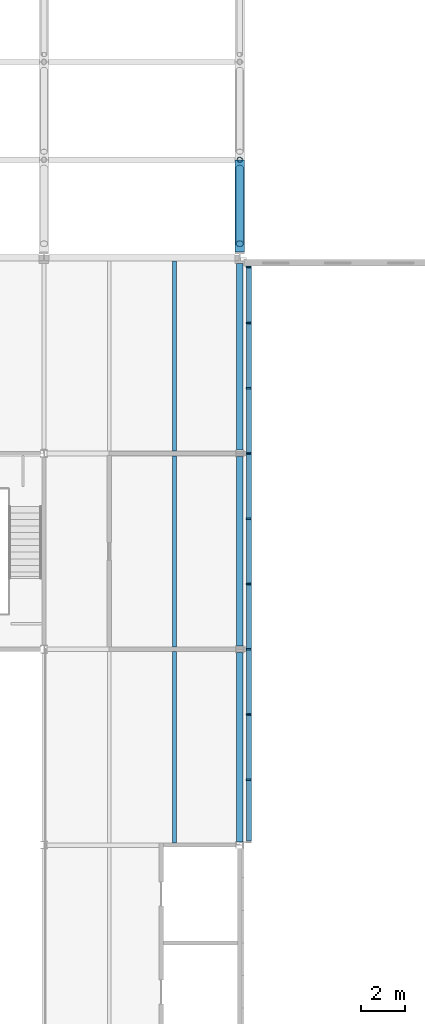
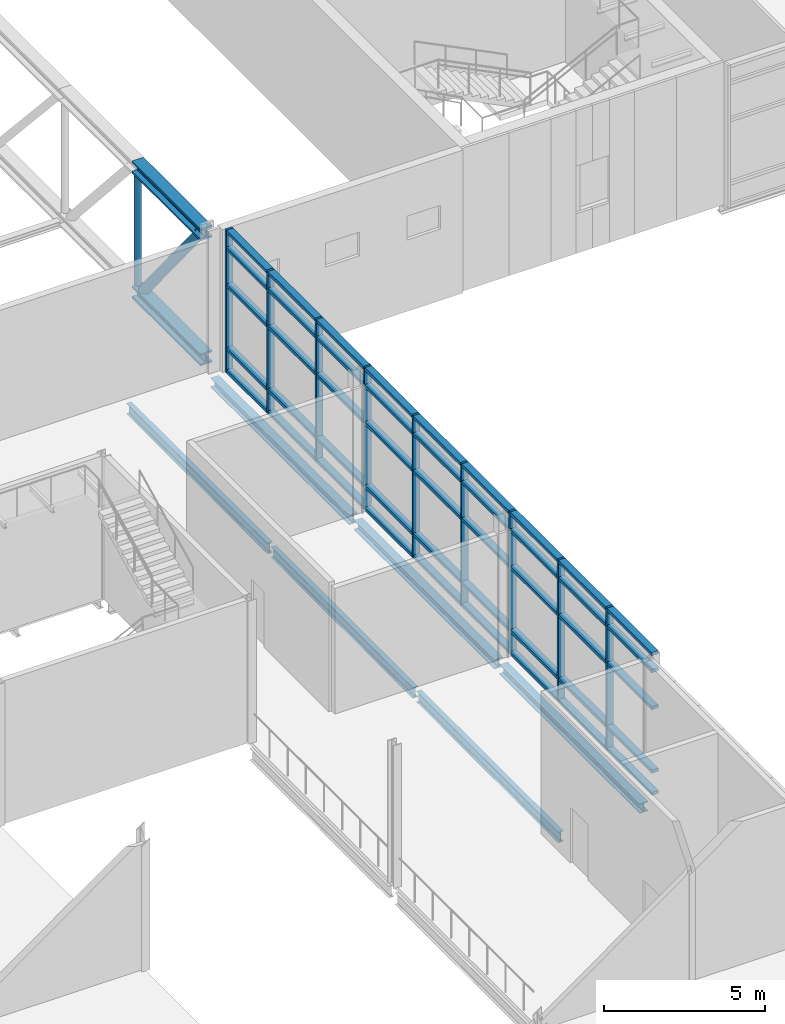
# One storey, part 19 of 53: 56 members, 8 beams, 1 element without a shape of its own.
"""IFC4 building model written with IfcOpenShell, lengths in metres."""

from ifc_helpers import new_model, si_unit, direction, frame, origin, origin_2d, place, context, subcontext, project, spatial, rectangle, hollow_circle, i_section, extrude, material, material_profile, profile_set, type_object, element, aggregate, save


model = new_model("IFC4")

# Units and contexts
model_context = context("Model", 3, precision=1e-05, world=origin(), true_north=direction((0.0, 1.0)))
body_context = subcontext(model_context, "Body", "Model", "MODEL_VIEW")
ifc_project = project(units=[si_unit("LENGTHUNIT", "METRE"), si_unit("AREAUNIT", "SQUARE_METRE"), si_unit("VOLUMEUNIT", "CUBIC_METRE"), si_unit("PLANEANGLEUNIT", "RADIAN"), si_unit("MASSUNIT", "GRAM", prefix="KILO")], contexts=[model_context])

# Site, building, storey
site_placement = place(None, origin())
site = spatial("IfcSite", under=ifc_project, at=site_placement, CompositionType="ELEMENT")
building_placement = place(site_placement, origin())
building = spatial("IfcBuilding", under=site, at=building_placement, Name="Azimuth Sports and Learning Centre", CompositionType="ELEMENT")
storey_placement = place(building_placement, frame((0.0, 0.0, 10.800048828125)))
storey = spatial("IfcBuildingStorey", under=building, at=storey_placement, Name="L02", CompositionType="ELEMENT", Elevation=10.800048828125)

# Beams
ifc_material_1 = material(Name="Steel S355", Category="steel")
ifc_material_profile_1 = material_profile(ifc_material_1, i_section(OverallWidth=0.300048828125, OverallDepth=0.35009765625, WebThickness=0.010009765625, FlangeThickness=0.017578125, FilletRadius=0.027099609375, at=origin_2d()), Name="HEA 360")
ifc_profile_set_1 = profile_set([ifc_material_profile_1], Name="Steel S355")
beam_type_1 = type_object("IfcBeamType", Name="Edge beam HEA 360", PredefinedType="SPANDREL", material=ifc_profile_set_1)
for number, where, z_axis, x_axis, name in (
    (1, (99.0, 63.14990234375, -0.324951171875), (0.0, 1.0, 0.0), (-1.0, 0.0, 0.0), "Edge beam L02 ST 45"),
    (2, (99.0, 72.14990234375, -0.324951171875), (0.0, 1.0, 0.0), (-1.0, 0.0, 0.0), "Edge beam L02 ST 46"),
):
    element("IfcBeam", number, at=place(storey_placement, frame(where, z_axis=z_axis, x_axis=x_axis)), inside=storey, type_object=beam_type_1, Name=name, PredefinedType="SPANDREL", context=body_context, shape_type="SweptSolid", body=[
        extrude(i_section(OverallWidth=0.300048828125, OverallDepth=0.35009765625, WebThickness=0.010009765625, FlangeThickness=0.017578125, FilletRadius=0.027099609375, at=origin_2d()), origin(), (0.0, 0.0, 1.0), 8.7001953125),
    ])
beam_1_placement = place(storey_placement, frame((99.0, 81.14990234375, -0.324951171875), z_axis=(0.0, 1.0, 0.0), x_axis=(-1.0, 0.0, 0.0)))
element("IfcBeam", 3, at=beam_1_placement, inside=storey, type_object=beam_type_1, Name="Edge beam L02 ST 47", PredefinedType="SPANDREL", context=body_context, shape_type="SweptSolid", body=[
    extrude(i_section(OverallWidth=0.300048828125, OverallDepth=0.35009765625, WebThickness=0.010009765625, FlangeThickness=0.017578125, FilletRadius=0.027099609375, at=origin_2d()), origin(), (0.0, 0.0, 1.0), 8.584716796875),
])
ifc_material_2 = material(Name="Steel S355", Category="steel")
ifc_material_profile_2 = material_profile(ifc_material_2, i_section(OverallWidth=0.179931640625, OverallDepth=0.39990234375, WebThickness=0.008544921875, FlangeThickness=0.013427734375, FilletRadius=0.02099609375, at=origin_2d()), Name="IPE 400")
ifc_profile_set_2 = profile_set([ifc_material_profile_2], Name="Steel S355")
beam_type_2 = type_object("IfcBeamType", Name="Joist IPE 400", PredefinedType="JOIST", material=ifc_profile_set_2)
beam_2_placement = place(storey_placement, frame((96.0, 63.10009765625, -0.35009765625), z_axis=(0.0, 1.0, 0.0), x_axis=(-1.0, 0.0, 0.0)))
element("IfcBeam", 4, at=beam_2_placement, inside=storey, type_object=beam_type_2, Name="Joist L02 ST 88", PredefinedType="JOIST", context=body_context, shape_type="SweptSolid", body=[
    extrude(i_section(OverallWidth=0.179931640625, OverallDepth=0.39990234375, WebThickness=0.008544921875, FlangeThickness=0.013427734375, FilletRadius=0.02099609375, at=origin_2d()), origin(), (0.0, 0.0, 1.0), 8.794921875),
])
beam_3_placement = place(storey_placement, frame((96.0, 72.10498046875, -0.35009765625), z_axis=(0.0, 1.0, 0.0), x_axis=(-1.0, 0.0, 0.0)))
element("IfcBeam", 5, at=beam_3_placement, inside=storey, type_object=beam_type_2, Name="Joist L02 ST 89", PredefinedType="JOIST", context=body_context, shape_type="SweptSolid", body=[
    extrude(i_section(OverallWidth=0.179931640625, OverallDepth=0.39990234375, WebThickness=0.008544921875, FlangeThickness=0.013427734375, FilletRadius=0.02099609375, at=origin_2d()), origin(), (0.0, 0.0, 1.0), 8.7900390625),
])
beam_4_placement = place(storey_placement, frame((96.0, 81.10498046875, -0.35009765625), z_axis=(0.0, 1.0, 0.0), x_axis=(-1.0, 0.0, 0.0)))
element("IfcBeam", 6, at=beam_4_placement, inside=storey, type_object=beam_type_2, Name="Joist L02 ST 90", PredefinedType="JOIST", context=body_context, shape_type="SweptSolid", body=[
    extrude(i_section(OverallWidth=0.179931640625, OverallDepth=0.39990234375, WebThickness=0.008544921875, FlangeThickness=0.013427734375, FilletRadius=0.02099609375, at=origin_2d()), origin(), (0.0, 0.0, 1.0), 8.7451171875),
])

# Curtain wall, members
ifc_material_3 = material(Name="Aluminium and glass", Category="aluminium")
curtain_wall_type = type_object("IfcCurtainWallType", Name="Curtain wall podium stem 240", PredefinedType="NOTDEFINED", material=ifc_material_3)
curtain_wall_placement = place(storey_placement, origin())
curtain_wall = element("IfcCurtainWall", 7, at=curtain_wall_placement, inside=storey, type_object=curtain_wall_type, Name="Curtain wall CW02-008", PredefinedType="NOTDEFINED")
ifc_material_4 = material(Name="Aluminium", Category="aluminium")
ifc_material_profile_3 = material_profile(ifc_material_4, rectangle(XDim=0.239990234375, YDim=0.080078125, at=origin_2d()), Name="Mullion 80x240")
ifc_profile_set_3 = profile_set([ifc_material_profile_3], Name="Aluminium")
member_type_1 = type_object("IfcMemberType", Name="Mullion 80x240", PredefinedType="MULLION", material=ifc_profile_set_3)
member_1_placement = place(storey_placement, frame((99.419921875, 66.0, 0.0), z_axis=(0.0, 0.0, 1.0), x_axis=(-1.0, 0.0, 0.0)))
member_1 = element("IfcMember", 8, at=member_1_placement, type_object=member_type_1, Name="CW02-008 mullion 2", PredefinedType="MULLION", context=body_context, shape_type="SweptSolid", body=[
    extrude(rectangle(XDim=0.239990234375, YDim=0.080078125, at=origin_2d()), origin(), (0.0, 0.0, 1.0), 5.39990234375),
])
member_2_placement = place(storey_placement, frame((99.419921875, 69.0, 0.0), z_axis=(0.0, 0.0, 1.0), x_axis=(-1.0, 0.0, 0.0)))
member_2 = element("IfcMember", 9, at=member_2_placement, type_object=member_type_1, Name="CW02-008 mullion 3", PredefinedType="MULLION", context=body_context, shape_type="SweptSolid", body=[
    extrude(rectangle(XDim=0.239990234375, YDim=0.080078125, at=origin_2d()), origin(), (0.0, 0.0, 1.0), 5.39990234375),
])
member_3_placement = place(storey_placement, frame((99.419921875, 72.0, 0.0), z_axis=(0.0, 0.0, 1.0), x_axis=(-1.0, 0.0, 0.0)))
member_3 = element("IfcMember", 10, at=member_3_placement, type_object=member_type_1, Name="CW02-008 mullion 4", PredefinedType="MULLION", context=body_context, shape_type="SweptSolid", body=[
    extrude(rectangle(XDim=0.239990234375, YDim=0.080078125, at=origin_2d()), origin(), (0.0, 0.0, 1.0), 5.39990234375),
])
member_4_placement = place(storey_placement, frame((99.419921875, 75.0, 0.0), z_axis=(0.0, 0.0, 1.0), x_axis=(-1.0, 0.0, 0.0)))
member_4 = element("IfcMember", 11, at=member_4_placement, type_object=member_type_1, Name="CW02-008 mullion 5", PredefinedType="MULLION", context=body_context, shape_type="SweptSolid", body=[
    extrude(rectangle(XDim=0.239990234375, YDim=0.080078125, at=origin_2d()), origin(), (0.0, 0.0, 1.0), 5.39990234375),
])
member_5_placement = place(storey_placement, frame((99.419921875, 78.0, 0.0), z_axis=(0.0, 0.0, 1.0), x_axis=(-1.0, 0.0, 0.0)))
member_5 = element("IfcMember", 12, at=member_5_placement, type_object=member_type_1, Name="CW02-008 mullion 6", PredefinedType="MULLION", context=body_context, shape_type="SweptSolid", body=[
    extrude(rectangle(XDim=0.239990234375, YDim=0.080078125, at=origin_2d()), origin(), (0.0, 0.0, 1.0), 5.39990234375),
])
member_6_placement = place(storey_placement, frame((99.419921875, 81.0, 0.0), z_axis=(0.0, 0.0, 1.0), x_axis=(-1.0, 0.0, 0.0)))
member_6 = element("IfcMember", 13, at=member_6_placement, type_object=member_type_1, Name="CW02-008 mullion 7", PredefinedType="MULLION", context=body_context, shape_type="SweptSolid", body=[
    extrude(rectangle(XDim=0.239990234375, YDim=0.080078125, at=origin_2d()), origin(), (0.0, 0.0, 1.0), 5.39990234375),
])
member_7_placement = place(storey_placement, frame((99.419921875, 84.0, 0.0), z_axis=(0.0, 0.0, 1.0), x_axis=(-1.0, 0.0, 0.0)))
member_7 = element("IfcMember", 14, at=member_7_placement, type_object=member_type_1, Name="CW02-008 mullion 8", PredefinedType="MULLION", context=body_context, shape_type="SweptSolid", body=[
    extrude(rectangle(XDim=0.239990234375, YDim=0.080078125, at=origin_2d()), origin(), (0.0, 0.0, 1.0), 5.39990234375),
])
member_8_placement = place(storey_placement, frame((99.419921875, 87.0, 0.0), z_axis=(0.0, 0.0, 1.0), x_axis=(-1.0, 0.0, 0.0)))
member_8 = element("IfcMember", 15, at=member_8_placement, type_object=member_type_1, Name="CW02-008 mullion 9", PredefinedType="MULLION", context=body_context, shape_type="SweptSolid", body=[
    extrude(rectangle(XDim=0.239990234375, YDim=0.080078125, at=origin_2d()), origin(), (0.0, 0.0, 1.0), 5.39990234375),
])
member_9_placement = place(storey_placement, frame((99.419921875, 89.570068359375, 0.0), z_axis=(0.0, 0.0, 1.0), x_axis=(-1.0, 0.0, 0.0)))
member_9 = element("IfcMember", 16, at=member_9_placement, type_object=member_type_1, Name="CW02-008 mullion 10", PredefinedType="MULLION", context=body_context, shape_type="SweptSolid", body=[
    extrude(rectangle(XDim=0.239990234375, YDim=0.080078125, at=origin_2d()), origin(), (0.0, 0.0, 1.0), 5.39990234375),
])
ifc_material_5 = material(Name="Aluminium", Category="aluminium")
ifc_material_profile_4 = material_profile(ifc_material_5, rectangle(XDim=0.239990234375, YDim=0.1201171875, at=origin_2d()), Name="Transom 120x240")
ifc_profile_set_4 = profile_set([ifc_material_profile_4], Name="Aluminium")
member_type_2 = type_object("IfcMemberType", Name="Transom 120x240", PredefinedType="USERDEFINED", material=ifc_profile_set_4)
member_10_placement = place(storey_placement, frame((99.419921875, 63.179931640625, 0.06005859375), z_axis=(0.0, 1.0, 0.0), x_axis=(-1.0, 0.0, 0.0)))
member_10 = element("IfcMember", 17, at=member_10_placement, type_object=member_type_2, Name="CW02-008 transom 1.1", ObjectType="TRANSOM", PredefinedType="USERDEFINED", context=body_context, shape_type="SweptSolid", body=[
    extrude(rectangle(XDim=0.239990234375, YDim=0.1201171875, at=origin_2d()), origin(), (0.0, 0.0, 1.0), 2.780029296875),
])
member_11_placement = place(storey_placement, frame((99.419921875, 63.179931640625, 0.89990234375), z_axis=(0.0, 1.0, 0.0), x_axis=(-1.0, 0.0, 0.0)))
member_11 = element("IfcMember", 18, at=member_11_placement, type_object=member_type_2, Name="CW02-008 transom 1.2", ObjectType="TRANSOM", PredefinedType="USERDEFINED", context=body_context, shape_type="SweptSolid", body=[
    extrude(rectangle(XDim=0.239990234375, YDim=0.1201171875, at=origin_2d()), origin(), (0.0, 0.0, 1.0), 2.780029296875),
])
member_12_placement = place(storey_placement, frame((99.419921875, 63.179931640625, 3.300048828125), z_axis=(0.0, 1.0, 0.0), x_axis=(-1.0, 0.0, 0.0)))
member_12 = element("IfcMember", 19, at=member_12_placement, type_object=member_type_2, Name="CW02-008 transom 1.3", ObjectType="TRANSOM", PredefinedType="USERDEFINED", context=body_context, shape_type="SweptSolid", body=[
    extrude(rectangle(XDim=0.239990234375, YDim=0.1201171875, at=origin_2d()), origin(), (0.0, 0.0, 1.0), 2.780029296875),
])
member_13_placement = place(storey_placement, frame((99.419921875, 63.179931640625, 4.699951171875), z_axis=(0.0, 1.0, 0.0), x_axis=(-1.0, 0.0, 0.0)))
member_13 = element("IfcMember", 20, at=member_13_placement, type_object=member_type_2, Name="CW02-008 transom 1.4", ObjectType="TRANSOM", PredefinedType="USERDEFINED", context=body_context, shape_type="SweptSolid", body=[
    extrude(rectangle(XDim=0.239990234375, YDim=0.1201171875, at=origin_2d()), origin(), (0.0, 0.0, 1.0), 2.780029296875),
])
member_14_placement = place(storey_placement, frame((99.419921875, 63.179931640625, 5.33984375), z_axis=(0.0, 1.0, 0.0), x_axis=(-1.0, 0.0, 0.0)))
member_14 = element("IfcMember", 21, at=member_14_placement, type_object=member_type_2, Name="CW02-008 transom 1.5", ObjectType="TRANSOM", PredefinedType="USERDEFINED", context=body_context, shape_type="SweptSolid", body=[
    extrude(rectangle(XDim=0.239990234375, YDim=0.1201171875, at=origin_2d()), origin(), (0.0, 0.0, 1.0), 2.780029296875),
])
member_15_placement = place(storey_placement, frame((99.419921875, 66.0400390625, 0.06005859375), z_axis=(0.0, 1.0, 0.0), x_axis=(-1.0, 0.0, 0.0)))
member_15 = element("IfcMember", 22, at=member_15_placement, type_object=member_type_2, Name="CW02-008 transom 2.1", ObjectType="TRANSOM", PredefinedType="USERDEFINED", context=body_context, shape_type="SweptSolid", body=[
    extrude(rectangle(XDim=0.239990234375, YDim=0.1201171875, at=origin_2d()), origin(), (0.0, 0.0, 1.0), 2.919921875),
])
member_16_placement = place(storey_placement, frame((99.419921875, 66.0400390625, 0.89990234375), z_axis=(0.0, 1.0, 0.0), x_axis=(-1.0, 0.0, 0.0)))
member_16 = element("IfcMember", 23, at=member_16_placement, type_object=member_type_2, Name="CW02-008 transom 2.2", ObjectType="TRANSOM", PredefinedType="USERDEFINED", context=body_context, shape_type="SweptSolid", body=[
    extrude(rectangle(XDim=0.239990234375, YDim=0.1201171875, at=origin_2d()), origin(), (0.0, 0.0, 1.0), 2.919921875),
])
member_17_placement = place(storey_placement, frame((99.419921875, 66.0400390625, 3.300048828125), z_axis=(0.0, 1.0, 0.0), x_axis=(-1.0, 0.0, 0.0)))
member_17 = element("IfcMember", 24, at=member_17_placement, type_object=member_type_2, Name="CW02-008 transom 2.3", ObjectType="TRANSOM", PredefinedType="USERDEFINED", context=body_context, shape_type="SweptSolid", body=[
    extrude(rectangle(XDim=0.239990234375, YDim=0.1201171875, at=origin_2d()), origin(), (0.0, 0.0, 1.0), 2.919921875),
])
member_18_placement = place(storey_placement, frame((99.419921875, 66.0400390625, 4.699951171875), z_axis=(0.0, 1.0, 0.0), x_axis=(-1.0, 0.0, 0.0)))
member_18 = element("IfcMember", 25, at=member_18_placement, type_object=member_type_2, Name="CW02-008 transom 2.4", ObjectType="TRANSOM", PredefinedType="USERDEFINED", context=body_context, shape_type="SweptSolid", body=[
    extrude(rectangle(XDim=0.239990234375, YDim=0.1201171875, at=origin_2d()), origin(), (0.0, 0.0, 1.0), 2.919921875),
])
member_19_placement = place(storey_placement, frame((99.419921875, 66.0400390625, 5.33984375), z_axis=(0.0, 1.0, 0.0), x_axis=(-1.0, 0.0, 0.0)))
member_19 = element("IfcMember", 26, at=member_19_placement, type_object=member_type_2, Name="CW02-008 transom 2.5", ObjectType="TRANSOM", PredefinedType="USERDEFINED", context=body_context, shape_type="SweptSolid", body=[
    extrude(rectangle(XDim=0.239990234375, YDim=0.1201171875, at=origin_2d()), origin(), (0.0, 0.0, 1.0), 2.919921875),
])
member_20_placement = place(storey_placement, frame((99.419921875, 69.0400390625, 0.06005859375), z_axis=(0.0, 1.0, 0.0), x_axis=(-1.0, 0.0, 0.0)))
member_20 = element("IfcMember", 27, at=member_20_placement, type_object=member_type_2, Name="CW02-008 transom 3.1", ObjectType="TRANSOM", PredefinedType="USERDEFINED", context=body_context, shape_type="SweptSolid", body=[
    extrude(rectangle(XDim=0.239990234375, YDim=0.1201171875, at=origin_2d()), origin(), (0.0, 0.0, 1.0), 2.919921875),
])
member_21_placement = place(storey_placement, frame((99.419921875, 69.0400390625, 0.89990234375), z_axis=(0.0, 1.0, 0.0), x_axis=(-1.0, 0.0, 0.0)))
member_21 = element("IfcMember", 28, at=member_21_placement, type_object=member_type_2, Name="CW02-008 transom 3.2", ObjectType="TRANSOM", PredefinedType="USERDEFINED", context=body_context, shape_type="SweptSolid", body=[
    extrude(rectangle(XDim=0.239990234375, YDim=0.1201171875, at=origin_2d()), origin(), (0.0, 0.0, 1.0), 2.919921875),
])
member_22_placement = place(storey_placement, frame((99.419921875, 69.0400390625, 3.300048828125), z_axis=(0.0, 1.0, 0.0), x_axis=(-1.0, 0.0, 0.0)))
member_22 = element("IfcMember", 29, at=member_22_placement, type_object=member_type_2, Name="CW02-008 transom 3.3", ObjectType="TRANSOM", PredefinedType="USERDEFINED", context=body_context, shape_type="SweptSolid", body=[
    extrude(rectangle(XDim=0.239990234375, YDim=0.1201171875, at=origin_2d()), origin(), (0.0, 0.0, 1.0), 2.919921875),
])
member_23_placement = place(storey_placement, frame((99.419921875, 69.0400390625, 4.699951171875), z_axis=(0.0, 1.0, 0.0), x_axis=(-1.0, 0.0, 0.0)))
member_23 = element("IfcMember", 30, at=member_23_placement, type_object=member_type_2, Name="CW02-008 transom 3.4", ObjectType="TRANSOM", PredefinedType="USERDEFINED", context=body_context, shape_type="SweptSolid", body=[
    extrude(rectangle(XDim=0.239990234375, YDim=0.1201171875, at=origin_2d()), origin(), (0.0, 0.0, 1.0), 2.919921875),
])
member_24_placement = place(storey_placement, frame((99.419921875, 69.0400390625, 5.33984375), z_axis=(0.0, 1.0, 0.0), x_axis=(-1.0, 0.0, 0.0)))
member_24 = element("IfcMember", 31, at=member_24_placement, type_object=member_type_2, Name="CW02-008 transom 3.5", ObjectType="TRANSOM", PredefinedType="USERDEFINED", context=body_context, shape_type="SweptSolid", body=[
    extrude(rectangle(XDim=0.239990234375, YDim=0.1201171875, at=origin_2d()), origin(), (0.0, 0.0, 1.0), 2.919921875),
])
member_25_placement = place(storey_placement, frame((99.419921875, 72.0400390625, 0.06005859375), z_axis=(0.0, 1.0, 0.0), x_axis=(-1.0, 0.0, 0.0)))
member_25 = element("IfcMember", 32, at=member_25_placement, type_object=member_type_2, Name="CW02-008 transom 4.1", ObjectType="TRANSOM", PredefinedType="USERDEFINED", context=body_context, shape_type="SweptSolid", body=[
    extrude(rectangle(XDim=0.239990234375, YDim=0.1201171875, at=origin_2d()), origin(), (0.0, 0.0, 1.0), 2.919921875),
])
member_26_placement = place(storey_placement, frame((99.419921875, 72.0400390625, 0.89990234375), z_axis=(0.0, 1.0, 0.0), x_axis=(-1.0, 0.0, 0.0)))
member_26 = element("IfcMember", 33, at=member_26_placement, type_object=member_type_2, Name="CW02-008 transom 4.2", ObjectType="TRANSOM", PredefinedType="USERDEFINED", context=body_context, shape_type="SweptSolid", body=[
    extrude(rectangle(XDim=0.239990234375, YDim=0.1201171875, at=origin_2d()), origin(), (0.0, 0.0, 1.0), 2.919921875),
])
member_27_placement = place(storey_placement, frame((99.419921875, 72.0400390625, 3.300048828125), z_axis=(0.0, 1.0, 0.0), x_axis=(-1.0, 0.0, 0.0)))
member_27 = element("IfcMember", 34, at=member_27_placement, type_object=member_type_2, Name="CW02-008 transom 4.3", ObjectType="TRANSOM", PredefinedType="USERDEFINED", context=body_context, shape_type="SweptSolid", body=[
    extrude(rectangle(XDim=0.239990234375, YDim=0.1201171875, at=origin_2d()), origin(), (0.0, 0.0, 1.0), 2.919921875),
])
member_28_placement = place(storey_placement, frame((99.419921875, 72.0400390625, 4.699951171875), z_axis=(0.0, 1.0, 0.0), x_axis=(-1.0, 0.0, 0.0)))
member_28 = element("IfcMember", 35, at=member_28_placement, type_object=member_type_2, Name="CW02-008 transom 4.4", ObjectType="TRANSOM", PredefinedType="USERDEFINED", context=body_context, shape_type="SweptSolid", body=[
    extrude(rectangle(XDim=0.239990234375, YDim=0.1201171875, at=origin_2d()), origin(), (0.0, 0.0, 1.0), 2.919921875),
])
member_29_placement = place(storey_placement, frame((99.419921875, 72.0400390625, 5.33984375), z_axis=(0.0, 1.0, 0.0), x_axis=(-1.0, 0.0, 0.0)))
member_29 = element("IfcMember", 36, at=member_29_placement, type_object=member_type_2, Name="CW02-008 transom 4.5", ObjectType="TRANSOM", PredefinedType="USERDEFINED", context=body_context, shape_type="SweptSolid", body=[
    extrude(rectangle(XDim=0.239990234375, YDim=0.1201171875, at=origin_2d()), origin(), (0.0, 0.0, 1.0), 2.919921875),
])
member_30_placement = place(storey_placement, frame((99.419921875, 75.0400390625, 0.06005859375), z_axis=(0.0, 1.0, 0.0), x_axis=(-1.0, 0.0, 0.0)))
member_30 = element("IfcMember", 37, at=member_30_placement, type_object=member_type_2, Name="CW02-008 transom 5.1", ObjectType="TRANSOM", PredefinedType="USERDEFINED", context=body_context, shape_type="SweptSolid", body=[
    extrude(rectangle(XDim=0.239990234375, YDim=0.1201171875, at=origin_2d()), origin(), (0.0, 0.0, 1.0), 2.919921875),
])
member_31_placement = place(storey_placement, frame((99.419921875, 75.0400390625, 0.89990234375), z_axis=(0.0, 1.0, 0.0), x_axis=(-1.0, 0.0, 0.0)))
member_31 = element("IfcMember", 38, at=member_31_placement, type_object=member_type_2, Name="CW02-008 transom 5.2", ObjectType="TRANSOM", PredefinedType="USERDEFINED", context=body_context, shape_type="SweptSolid", body=[
    extrude(rectangle(XDim=0.239990234375, YDim=0.1201171875, at=origin_2d()), origin(), (0.0, 0.0, 1.0), 2.919921875),
])
member_32_placement = place(storey_placement, frame((99.419921875, 75.0400390625, 3.300048828125), z_axis=(0.0, 1.0, 0.0), x_axis=(-1.0, 0.0, 0.0)))
member_32 = element("IfcMember", 39, at=member_32_placement, type_object=member_type_2, Name="CW02-008 transom 5.3", ObjectType="TRANSOM", PredefinedType="USERDEFINED", context=body_context, shape_type="SweptSolid", body=[
    extrude(rectangle(XDim=0.239990234375, YDim=0.1201171875, at=origin_2d()), origin(), (0.0, 0.0, 1.0), 2.919921875),
])
member_33_placement = place(storey_placement, frame((99.419921875, 75.0400390625, 4.699951171875), z_axis=(0.0, 1.0, 0.0), x_axis=(-1.0, 0.0, 0.0)))
member_33 = element("IfcMember", 40, at=member_33_placement, type_object=member_type_2, Name="CW02-008 transom 5.4", ObjectType="TRANSOM", PredefinedType="USERDEFINED", context=body_context, shape_type="SweptSolid", body=[
    extrude(rectangle(XDim=0.239990234375, YDim=0.1201171875, at=origin_2d()), origin(), (0.0, 0.0, 1.0), 2.919921875),
])
member_34_placement = place(storey_placement, frame((99.419921875, 75.0400390625, 5.33984375), z_axis=(0.0, 1.0, 0.0), x_axis=(-1.0, 0.0, 0.0)))
member_34 = element("IfcMember", 41, at=member_34_placement, type_object=member_type_2, Name="CW02-008 transom 5.5", ObjectType="TRANSOM", PredefinedType="USERDEFINED", context=body_context, shape_type="SweptSolid", body=[
    extrude(rectangle(XDim=0.239990234375, YDim=0.1201171875, at=origin_2d()), origin(), (0.0, 0.0, 1.0), 2.919921875),
])
member_35_placement = place(storey_placement, frame((99.419921875, 78.0400390625, 0.06005859375), z_axis=(0.0, 1.0, 0.0), x_axis=(-1.0, 0.0, 0.0)))
member_35 = element("IfcMember", 42, at=member_35_placement, type_object=member_type_2, Name="CW02-008 transom 6.1", ObjectType="TRANSOM", PredefinedType="USERDEFINED", context=body_context, shape_type="SweptSolid", body=[
    extrude(rectangle(XDim=0.239990234375, YDim=0.1201171875, at=origin_2d()), origin(), (0.0, 0.0, 1.0), 2.919921875),
])
member_36_placement = place(storey_placement, frame((99.419921875, 78.0400390625, 0.89990234375), z_axis=(0.0, 1.0, 0.0), x_axis=(-1.0, 0.0, 0.0)))
member_36 = element("IfcMember", 43, at=member_36_placement, type_object=member_type_2, Name="CW02-008 transom 6.2", ObjectType="TRANSOM", PredefinedType="USERDEFINED", context=body_context, shape_type="SweptSolid", body=[
    extrude(rectangle(XDim=0.239990234375, YDim=0.1201171875, at=origin_2d()), origin(), (0.0, 0.0, 1.0), 2.919921875),
])
member_37_placement = place(storey_placement, frame((99.419921875, 78.0400390625, 3.300048828125), z_axis=(0.0, 1.0, 0.0), x_axis=(-1.0, 0.0, 0.0)))
member_37 = element("IfcMember", 44, at=member_37_placement, type_object=member_type_2, Name="CW02-008 transom 6.3", ObjectType="TRANSOM", PredefinedType="USERDEFINED", context=body_context, shape_type="SweptSolid", body=[
    extrude(rectangle(XDim=0.239990234375, YDim=0.1201171875, at=origin_2d()), origin(), (0.0, 0.0, 1.0), 2.919921875),
])
member_38_placement = place(storey_placement, frame((99.419921875, 78.0400390625, 4.699951171875), z_axis=(0.0, 1.0, 0.0), x_axis=(-1.0, 0.0, 0.0)))
member_38 = element("IfcMember", 45, at=member_38_placement, type_object=member_type_2, Name="CW02-008 transom 6.4", ObjectType="TRANSOM", PredefinedType="USERDEFINED", context=body_context, shape_type="SweptSolid", body=[
    extrude(rectangle(XDim=0.239990234375, YDim=0.1201171875, at=origin_2d()), origin(), (0.0, 0.0, 1.0), 2.919921875),
])
member_39_placement = place(storey_placement, frame((99.419921875, 78.0400390625, 5.33984375), z_axis=(0.0, 1.0, 0.0), x_axis=(-1.0, 0.0, 0.0)))
member_39 = element("IfcMember", 46, at=member_39_placement, type_object=member_type_2, Name="CW02-008 transom 6.5", ObjectType="TRANSOM", PredefinedType="USERDEFINED", context=body_context, shape_type="SweptSolid", body=[
    extrude(rectangle(XDim=0.239990234375, YDim=0.1201171875, at=origin_2d()), origin(), (0.0, 0.0, 1.0), 2.919921875),
])
member_40_placement = place(storey_placement, frame((99.419921875, 81.0400390625, 0.06005859375), z_axis=(0.0, 1.0, 0.0), x_axis=(-1.0, 0.0, 0.0)))
member_40 = element("IfcMember", 47, at=member_40_placement, type_object=member_type_2, Name="CW02-008 transom 7.1", ObjectType="TRANSOM", PredefinedType="USERDEFINED", context=body_context, shape_type="SweptSolid", body=[
    extrude(rectangle(XDim=0.239990234375, YDim=0.1201171875, at=origin_2d()), origin(), (0.0, 0.0, 1.0), 2.919921875),
])
member_41_placement = place(storey_placement, frame((99.419921875, 81.0400390625, 0.89990234375), z_axis=(0.0, 1.0, 0.0), x_axis=(-1.0, 0.0, 0.0)))
member_41 = element("IfcMember", 48, at=member_41_placement, type_object=member_type_2, Name="CW02-008 transom 7.2", ObjectType="TRANSOM", PredefinedType="USERDEFINED", context=body_context, shape_type="SweptSolid", body=[
    extrude(rectangle(XDim=0.239990234375, YDim=0.1201171875, at=origin_2d()), origin(), (0.0, 0.0, 1.0), 2.919921875),
])
member_42_placement = place(storey_placement, frame((99.419921875, 81.0400390625, 3.300048828125), z_axis=(0.0, 1.0, 0.0), x_axis=(-1.0, 0.0, 0.0)))
member_42 = element("IfcMember", 49, at=member_42_placement, type_object=member_type_2, Name="CW02-008 transom 7.3", ObjectType="TRANSOM", PredefinedType="USERDEFINED", context=body_context, shape_type="SweptSolid", body=[
    extrude(rectangle(XDim=0.239990234375, YDim=0.1201171875, at=origin_2d()), origin(), (0.0, 0.0, 1.0), 2.919921875),
])
member_43_placement = place(storey_placement, frame((99.419921875, 81.0400390625, 4.699951171875), z_axis=(0.0, 1.0, 0.0), x_axis=(-1.0, 0.0, 0.0)))
member_43 = element("IfcMember", 50, at=member_43_placement, type_object=member_type_2, Name="CW02-008 transom 7.4", ObjectType="TRANSOM", PredefinedType="USERDEFINED", context=body_context, shape_type="SweptSolid", body=[
    extrude(rectangle(XDim=0.239990234375, YDim=0.1201171875, at=origin_2d()), origin(), (0.0, 0.0, 1.0), 2.919921875),
])
member_44_placement = place(storey_placement, frame((99.419921875, 81.0400390625, 5.33984375), z_axis=(0.0, 1.0, 0.0), x_axis=(-1.0, 0.0, 0.0)))
member_44 = element("IfcMember", 51, at=member_44_placement, type_object=member_type_2, Name="CW02-008 transom 7.5", ObjectType="TRANSOM", PredefinedType="USERDEFINED", context=body_context, shape_type="SweptSolid", body=[
    extrude(rectangle(XDim=0.239990234375, YDim=0.1201171875, at=origin_2d()), origin(), (0.0, 0.0, 1.0), 2.919921875),
])
member_45_placement = place(storey_placement, frame((99.419921875, 84.0400390625, 0.06005859375), z_axis=(0.0, 1.0, 0.0), x_axis=(-1.0, 0.0, 0.0)))
member_45 = element("IfcMember", 52, at=member_45_placement, type_object=member_type_2, Name="CW02-008 transom 8.1", ObjectType="TRANSOM", PredefinedType="USERDEFINED", context=body_context, shape_type="SweptSolid", body=[
    extrude(rectangle(XDim=0.239990234375, YDim=0.1201171875, at=origin_2d()), origin(), (0.0, 0.0, 1.0), 2.919921875),
])
member_46_placement = place(storey_placement, frame((99.419921875, 84.0400390625, 0.89990234375), z_axis=(0.0, 1.0, 0.0), x_axis=(-1.0, 0.0, 0.0)))
member_46 = element("IfcMember", 53, at=member_46_placement, type_object=member_type_2, Name="CW02-008 transom 8.2", ObjectType="TRANSOM", PredefinedType="USERDEFINED", context=body_context, shape_type="SweptSolid", body=[
    extrude(rectangle(XDim=0.239990234375, YDim=0.1201171875, at=origin_2d()), origin(), (0.0, 0.0, 1.0), 2.919921875),
])
member_47_placement = place(storey_placement, frame((99.419921875, 84.0400390625, 3.300048828125), z_axis=(0.0, 1.0, 0.0), x_axis=(-1.0, 0.0, 0.0)))
member_47 = element("IfcMember", 54, at=member_47_placement, type_object=member_type_2, Name="CW02-008 transom 8.3", ObjectType="TRANSOM", PredefinedType="USERDEFINED", context=body_context, shape_type="SweptSolid", body=[
    extrude(rectangle(XDim=0.239990234375, YDim=0.1201171875, at=origin_2d()), origin(), (0.0, 0.0, 1.0), 2.919921875),
])
member_48_placement = place(storey_placement, frame((99.419921875, 84.0400390625, 4.699951171875), z_axis=(0.0, 1.0, 0.0), x_axis=(-1.0, 0.0, 0.0)))
member_48 = element("IfcMember", 55, at=member_48_placement, type_object=member_type_2, Name="CW02-008 transom 8.4", ObjectType="TRANSOM", PredefinedType="USERDEFINED", context=body_context, shape_type="SweptSolid", body=[
    extrude(rectangle(XDim=0.239990234375, YDim=0.1201171875, at=origin_2d()), origin(), (0.0, 0.0, 1.0), 2.919921875),
])
member_49_placement = place(storey_placement, frame((99.419921875, 84.0400390625, 5.33984375), z_axis=(0.0, 1.0, 0.0), x_axis=(-1.0, 0.0, 0.0)))
member_49 = element("IfcMember", 56, at=member_49_placement, type_object=member_type_2, Name="CW02-008 transom 8.5", ObjectType="TRANSOM", PredefinedType="USERDEFINED", context=body_context, shape_type="SweptSolid", body=[
    extrude(rectangle(XDim=0.239990234375, YDim=0.1201171875, at=origin_2d()), origin(), (0.0, 0.0, 1.0), 2.919921875),
])
member_50_placement = place(storey_placement, frame((99.419921875, 87.0400390625, 0.06005859375), z_axis=(0.0, 1.0, 0.0), x_axis=(-1.0, 0.0, 0.0)))
member_50 = element("IfcMember", 57, at=member_50_placement, type_object=member_type_2, Name="CW02-008 transom 9.1", ObjectType="TRANSOM", PredefinedType="USERDEFINED", context=body_context, shape_type="SweptSolid", body=[
    extrude(rectangle(XDim=0.239990234375, YDim=0.1201171875, at=origin_2d()), origin(), (0.0, 0.0, 1.0), 2.489990234375),
])
member_51_placement = place(storey_placement, frame((99.419921875, 87.0400390625, 0.89990234375), z_axis=(0.0, 1.0, 0.0), x_axis=(-1.0, 0.0, 0.0)))
member_51 = element("IfcMember", 58, at=member_51_placement, type_object=member_type_2, Name="CW02-008 transom 9.2", ObjectType="TRANSOM", PredefinedType="USERDEFINED", context=body_context, shape_type="SweptSolid", body=[
    extrude(rectangle(XDim=0.239990234375, YDim=0.1201171875, at=origin_2d()), origin(), (0.0, 0.0, 1.0), 2.489990234375),
])
member_52_placement = place(storey_placement, frame((99.419921875, 87.0400390625, 3.300048828125), z_axis=(0.0, 1.0, 0.0), x_axis=(-1.0, 0.0, 0.0)))
member_52 = element("IfcMember", 59, at=member_52_placement, type_object=member_type_2, Name="CW02-008 transom 9.3", ObjectType="TRANSOM", PredefinedType="USERDEFINED", context=body_context, shape_type="SweptSolid", body=[
    extrude(rectangle(XDim=0.239990234375, YDim=0.1201171875, at=origin_2d()), origin(), (0.0, 0.0, 1.0), 2.489990234375),
])
member_53_placement = place(storey_placement, frame((99.419921875, 87.0400390625, 4.699951171875), z_axis=(0.0, 1.0, 0.0), x_axis=(-1.0, 0.0, 0.0)))
member_53 = element("IfcMember", 60, at=member_53_placement, type_object=member_type_2, Name="CW02-008 transom 9.4", ObjectType="TRANSOM", PredefinedType="USERDEFINED", context=body_context, shape_type="SweptSolid", body=[
    extrude(rectangle(XDim=0.239990234375, YDim=0.1201171875, at=origin_2d()), origin(), (0.0, 0.0, 1.0), 2.489990234375),
])
member_54_placement = place(storey_placement, frame((99.419921875, 87.0400390625, 5.33984375), z_axis=(0.0, 1.0, 0.0), x_axis=(-1.0, 0.0, 0.0)))
member_54 = element("IfcMember", 61, at=member_54_placement, type_object=member_type_2, Name="CW02-008 transom 9.5", ObjectType="TRANSOM", PredefinedType="USERDEFINED", context=body_context, shape_type="SweptSolid", body=[
    extrude(rectangle(XDim=0.239990234375, YDim=0.1201171875, at=origin_2d()), origin(), (0.0, 0.0, 1.0), 2.489990234375),
])
aggregate(curtain_wall, [member_1, member_2, member_3, member_4, member_5, member_6, member_7, member_8, member_9, member_10, member_11, member_12, member_13, member_14, member_15, member_16, member_17, member_18, member_19, member_20, member_21, member_22, member_23, member_24, member_25, member_26, member_27, member_28, member_29, member_30, member_31, member_32, member_33, member_34, member_35, member_36, member_37, member_38, member_39, member_40, member_41, member_42, member_43, member_44, member_45, member_46, member_47, member_48, member_49, member_50, member_51, member_52, member_53, member_54])

# Beams
ifc_material_6 = material(Name="Steel S460", Category="steel")
ifc_material_profile_5 = material_profile(ifc_material_6, i_section(OverallWidth=0.41796875, OverallDepth=0.455078125, WebThickness=0.0419921875, FlangeThickness=0.067626953125, FilletRadius=0.014892578125, at=origin_2d()), Name="HD 400x551")
ifc_profile_set_5 = profile_set([ifc_material_profile_5], Name="Steel S460")
beam_type_3 = type_object("IfcBeamType", Name="Truss chord HD 400x551", PredefinedType="USERDEFINED", material=ifc_profile_set_5)
for number, where, z_axis, x_axis, name in (
    (62, (99.0, 90.257080078125, 4.952392578125), (0.0, 1.0, 0.0), (-1.0, 0.0, 0.0), "Floor truss FT-4 top chord 1"),
    (63, (99.0, 90.257080078125, 0.2275390625), (0.0, 1.0, 0.0), (-1.0, 0.0, 0.0), "Floor truss FT-4 bottom chord 1"),
):
    element("IfcBeam", number, at=place(storey_placement, frame(where, z_axis=z_axis, x_axis=x_axis)), inside=storey, type_object=beam_type_3, Name=name, ObjectType="TRUSS CHORD", PredefinedType="USERDEFINED", context=body_context, shape_type="SweptSolid", body=[
        extrude(i_section(OverallWidth=0.41796875, OverallDepth=0.455078125, WebThickness=0.0419921875, FlangeThickness=0.067626953125, FilletRadius=0.014892578125, at=origin_2d()), origin(), (0.0, 0.0, 1.0), 4.242919921875),
    ])

# Members
ifc_material_7 = material(Name="Steel S355", Category="steel")
ifc_material_profile_6 = material_profile(ifc_material_7, hollow_circle(Radius=0.177734375, WallThickness=0.01611328125, at=origin_2d()), Name="CHS 355.6x16.0")
ifc_profile_set_6 = profile_set([ifc_material_profile_6], Name="Steel S355")
member_type_3 = type_object("IfcMemberType", Name="Truss diagonal CHS 355.6x16.0", PredefinedType="BRACE", material=ifc_profile_set_6)
member_55_placement = place(storey_placement, frame((99.0, 90.64208984375, 4.724853515625), z_axis=(0.0, 0.63097662628, -0.77580184138), x_axis=(-1.0, 0.0, 0.0)))
element("IfcMember", 64, at=member_55_placement, inside=storey, type_object=member_type_3, Name="Floor truss FT-4 diagonal 1", PredefinedType="BRACE", context=body_context, shape_type="SweptSolid", body=[
    extrude(hollow_circle(Radius=0.177734375, WallThickness=0.01611328125, at=origin_2d()), origin(), (0.0, 0.0, 1.0), 5.50390625),
])
ifc_material_8 = material(Name="Steel S355", Category="steel")
ifc_material_profile_7 = material_profile(ifc_material_8, hollow_circle(Radius=0.122314453125, WallThickness=0.012451171875, at=origin_2d()), Name="CHS 244.5x12.5")
ifc_profile_set_7 = profile_set([ifc_material_profile_7], Name="Steel S355")
member_type_4 = type_object("IfcMemberType", Name="Truss post CHS 244.5x12.5", PredefinedType="POST", material=ifc_profile_set_7)
member_56_placement = place(storey_placement, frame((99.0, 94.5, 0.454833984375), z_axis=(0.0, 0.0, 1.0), x_axis=(1.0, 0.0, 0.0)))
element("IfcMember", 65, at=member_56_placement, inside=storey, type_object=member_type_4, Name="Floor truss FT-4 post 1", PredefinedType="POST", context=body_context, shape_type="SweptSolid", body=[
    extrude(hollow_circle(Radius=0.122314453125, WallThickness=0.012451171875, at=origin_2d()), origin(), (0.0, 0.0, 1.0), 4.27001953125),
])

save(model, "model.ifc")
